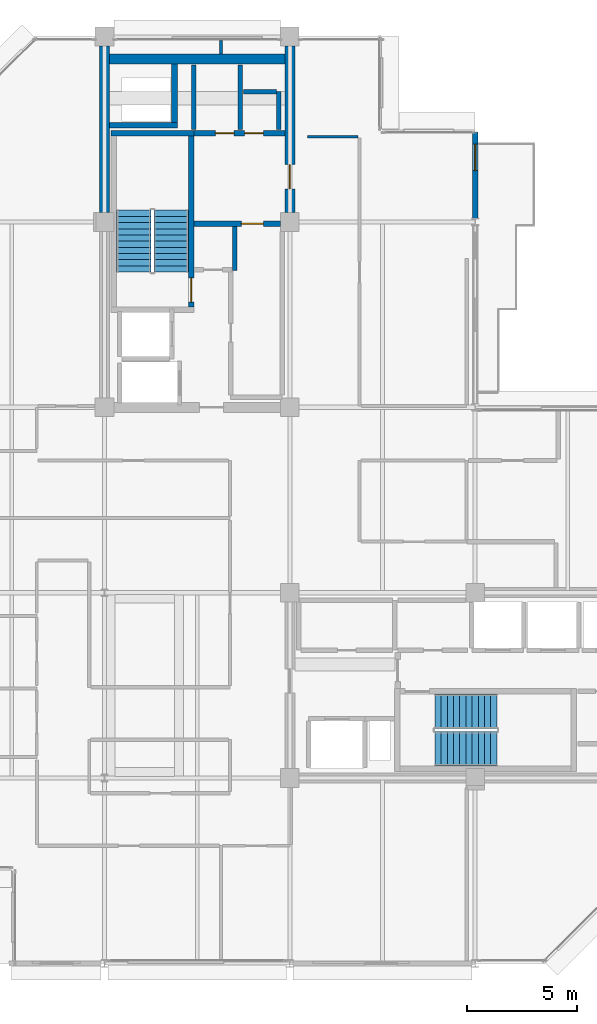
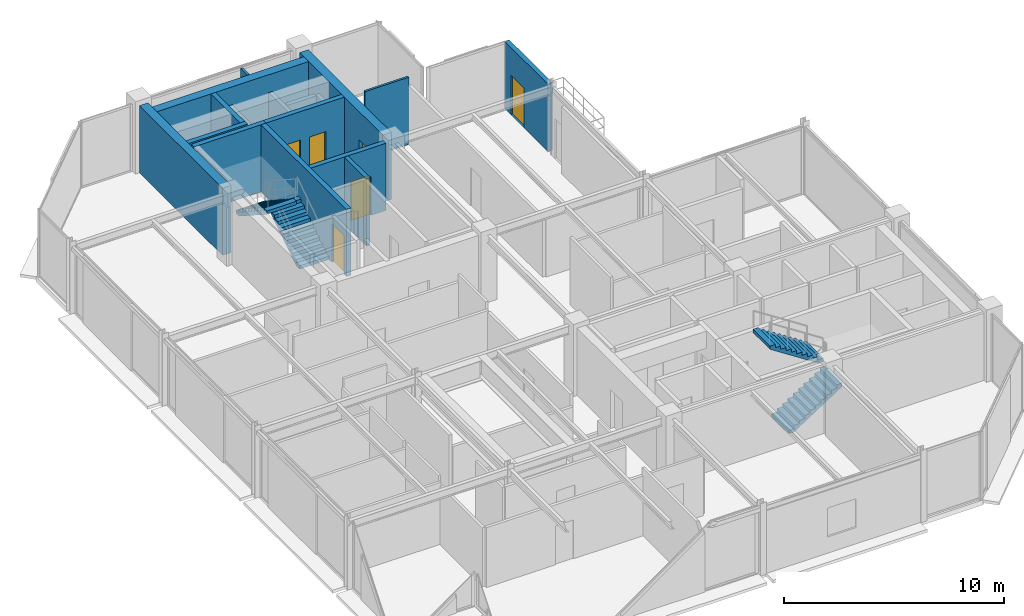
# One storey, part 22 of 25: 17 walls, 6 doors, 4 stair flights, 6 openings, 2 elements without a shape of their own.
"""IFC4 building model written with IfcOpenShell, lengths in metres."""

from ifc_helpers import new_model, si_unit, direction, frame, frame_2d, origin, place, context, subcontext, project, spatial, polyline, rectangle, outline, extrude, material, layer, layer_set, type_object, element, fill, aggregate, save


model = new_model("IFC4")

# Units and contexts
model_context = context("Model", 3, precision=1e-05, world=origin(), true_north=direction((0.0, 1.0)))
body_context = subcontext(model_context, "Body", "Model", "MODEL_VIEW")
ifc_project = project(units=[si_unit("LENGTHUNIT", "METRE"), si_unit("AREAUNIT", "SQUARE_METRE"), si_unit("VOLUMEUNIT", "CUBIC_METRE"), si_unit("PLANEANGLEUNIT", "RADIAN"), si_unit("MASSUNIT", "GRAM", prefix="KILO")], contexts=[model_context])

# Site, building, storey
site_placement = place(None, origin())
site = spatial("IfcSite", under=ifc_project, at=site_placement, CompositionType="ELEMENT")
building_placement = place(site_placement, origin())
building = spatial("IfcBuilding", under=site, at=building_placement, Name="Nerrivon Quay Data Exchange", CompositionType="ELEMENT")
storey_placement = place(building_placement, frame((0.0, 0.0, 314.199951171875)))
storey = spatial("IfcBuildingStorey", under=building, at=storey_placement, Name="L75", CompositionType="ELEMENT", Elevation=314.199951171875)

# Wall, opening, door
ifc_material_1 = material(Name="Architectural terracotta precast concrete N50 (50 MPa)", Category="masonry")
ifc_layer_1 = layer(ifc_material_1, 0.239990234375)
ifc_layer_set_1 = layer_set([ifc_layer_1], Name="Architectural terracotta precast concrete N50 (50 MPa)")
wall_type_1 = type_object("IfcWallType", Name="EW-PREC-240", PredefinedType="STANDARD", material=ifc_layer_set_1)
wall_1_placement = place(storey_placement, frame((25.199951171875, 37.679931640625, 0.0), z_axis=(0.0, 0.0, 1.0), x_axis=(0.0, -1.0, 0.0)))
wall_1 = element("IfcWall", 1, at=wall_1_placement, inside=storey, type_object=wall_type_1, Name="L75 Terrace Host Wall 19", PredefinedType="STANDARD", context=body_context, shape_type="SweptSolid", body=[
    extrude(rectangle(XDim=3.91650390625, YDim=0.239990234375, at=frame_2d((1.958251953125, 0.0))), origin(), (0.0, 0.0, 1.0), 3.72509765625),
])
opening_1_placement = place(wall_1_placement, frame((0.550048828125, 0.0, 0.0)))
opening_1 = element("IfcOpeningElement", 2, at=opening_1_placement, cuts=wall_1, Name="Opening TD1", PredefinedType="OPENING", context=body_context, shape_type="SweptSolid", body=[
    extrude(rectangle(XDim=1.199951171875, YDim=2.199951171875, at=frame_2d((0.60009765625, 1.10009765625))), frame((0.0, 0.1298828125, 0.0), z_axis=(0.0, -1.0, 0.0), x_axis=(1.0, 0.0, 0.0)), (0.0, 0.0, 1.0), 0.260009765625),
])
ifc_material_2 = material(Name="Double-glazed low-E solar control glass", Category="glass")
door_type_1 = type_object("IfcDoorType", Name="DR-TERR-1200x2200", OperationType="NOTDEFINED", PredefinedType="DOOR", material=ifc_material_2)
door_1_placement = place(opening_1_placement, origin())
door_1 = element("IfcDoor", 3, at=door_1_placement, inside=storey, type_object=door_type_1, Name="L75 Outdoor Terrace Access Door 19", OperationType="SINGLE_SWING_RIGHT", OverallHeight=2.199951171875, OverallWidth=1.199951171875, PredefinedType="DOOR", context=body_context, shape_type="SweptSolid", body=[
    extrude(rectangle(XDim=1.199951171875, YDim=2.199951171875, at=frame_2d((0.60009765625, 1.10009765625))), frame((0.0, 0.02490234375, 0.0), z_axis=(0.0, -1.0, 0.0), x_axis=(1.0, 0.0, 0.0)), (0.0, 0.0, 1.0), 0.050048828125),
])
fill(opening_1, door_1)

# Walls
ifc_material_3 = material(Name="Concrete N50 (50 MPa)", Category="concrete")
ifc_layer_2 = layer(ifc_material_3, 0.449951171875)
ifc_layer_set_2 = layer_set([ifc_layer_2], Name="Concrete N50 (50 MPa)")
wall_type_2 = type_object("IfcWallType", Name="WALL-CW-550", PredefinedType="SHEAR", material=ifc_layer_set_2)
wall_2_placement = place(storey_placement, frame((8.39990234375, 34.02490234375, 0.0), z_axis=(0.0, 0.0, 1.0), x_axis=(0.0, 1.0, 0.0)))
element("IfcWall", 4, at=wall_2_placement, inside=storey, type_object=wall_type_2, Name="L75 West Split-Core Shear Wall WCW-W2", PredefinedType="SHEAR", context=body_context, shape_type="SweptSolid", body=[
    extrude(rectangle(XDim=7.550048828125, YDim=0.449951171875, at=frame_2d((3.77490234375, 0.0))), origin(), (0.0, 0.0, 1.0), 3.72509765625),
])
wall_3_placement = place(storey_placement, frame((8.625, 40.97509765625, 0.0), z_axis=(0.0, 0.0, 1.0), x_axis=(1.0, 0.0, 0.0)))
element("IfcWall", 5, at=wall_3_placement, inside=storey, type_object=wall_type_2, Name="L75 West Split-Core Shear Wall WCW-N1", PredefinedType="SHEAR", context=body_context, shape_type="SweptSolid", body=[
    extrude(rectangle(XDim=7.949951171875, YDim=0.449951171875, at=frame_2d((3.97509765625, 0.0))), origin(), (0.0, 0.0, 1.0), 3.72509765625),
])

# Wall, opening, door
wall_4_placement = place(storey_placement, frame((16.800048828125, 34.02490234375, 0.0), z_axis=(0.0, 0.0, 1.0), x_axis=(0.0, 1.0, 0.0)))
wall_4 = element("IfcWall", 6, at=wall_4_placement, inside=storey, type_object=wall_type_2, Name="L75 West Split-Core Shear Wall WCW-E1", PredefinedType="SHEAR", context=body_context, shape_type="SweptSolid", body=[
    extrude(rectangle(XDim=7.550048828125, YDim=0.449951171875, at=frame_2d((3.77490234375, 0.0))), origin(), (0.0, 0.0, 1.0), 3.72509765625),
])
opening_2_placement = place(wall_4_placement, frame((1.074951171875, 0.0, 0.0)))
opening_2 = element("IfcOpeningElement", 7, at=opening_2_placement, cuts=wall_4, Name="Opening FD-120", PredefinedType="OPENING", context=body_context, shape_type="SweptSolid", body=[
    extrude(rectangle(XDim=1.10009765625, YDim=2.14990234375, at=frame_2d((0.550048828125, 1.074951171875))), frame((0.0, 0.23486328125, 0.0), z_axis=(0.0, -1.0, 0.0), x_axis=(1.0, 0.0, 0.0)), (0.0, 0.0, 1.0), 0.469970703125),
])
ifc_material_4 = material(Name="Powder-coated galvanized steel sheet", Category="steel")
door_type_2 = type_object("IfcDoorType", Name="DR-FD120-1100", OperationType="NOTDEFINED", PredefinedType="DOOR", material=ifc_material_4)
door_2_placement = place(opening_2_placement, origin())
door_2 = element("IfcDoor", 8, at=door_2_placement, inside=storey, type_object=door_type_2, Name="L75 West Core Lobby Fire Door", OperationType="SINGLE_SWING_LEFT", OverallHeight=2.14990234375, OverallWidth=1.10009765625, PredefinedType="DOOR", context=body_context, shape_type="SweptSolid", body=[
    extrude(rectangle(XDim=1.10009765625, YDim=2.14990234375, at=frame_2d((0.550048828125, 1.074951171875))), frame((0.0, 0.02490234375, 0.0), z_axis=(0.0, -1.0, 0.0), x_axis=(1.0, 0.0, 0.0)), (0.0, 0.0, 1.0), 0.050048828125),
])
fill(opening_2, door_2)

# Walls
ifc_material_5 = material(Name="Gypsum plasterboard on cold-formed framing", Category="gypsum")
ifc_layer_3 = layer(ifc_material_5, 0.199951171875)
ifc_layer_set_3 = layer_set([ifc_layer_3], Name="Gypsum plasterboard on cold-formed framing")
wall_type_3 = type_object("IfcWallType", Name="WALL-FW-200", PredefinedType="PARTITIONING", material=ifc_layer_set_3)
wall_5_placement = place(storey_placement, frame((14.300048828125, 33.39111328125, 0.0), z_axis=(0.0, 0.0, 1.0), x_axis=(0.0, -1.0, 0.0)))
element("IfcWall", 9, at=wall_5_placement, inside=storey, type_object=wall_type_3, Name="L75 Partition Core Equipment Store", PredefinedType="PARTITIONING", context=body_context, shape_type="SweptSolid", body=[
    extrude(rectangle(XDim=1.9912109375, YDim=0.199951171875, at=frame_2d((0.99560546875, 0.0))), origin(), (0.0, 0.0, 1.0), 3.72509765625),
])
for number, where, z_axis, x_axis, name in (
    (10, (14.550048828125, 37.780029296875, 0.0), (0.0, 0.0, 1.0), (0.0, 1.0, 0.0), "L75 Partition Electrical Switchboard Closet"),
    (11, (12.449951171875, 40.699951171875, 0.0), (0.0, 0.0, 1.0), (0.0, -1.0, 0.0), "L75 Partition Electrical Switchboard Closet"),
):
    element("IfcWall", number, at=place(storey_placement, frame(where, z_axis=z_axis, x_axis=x_axis)), inside=storey, type_object=wall_type_3, Name=name, PredefinedType="PARTITIONING", context=body_context, shape_type="SweptSolid", body=[
        extrude(rectangle(XDim=2.919921875, YDim=0.199951171875, at=frame_2d((1.4599609375, 0.0))), origin(), (0.0, 0.0, 1.0), 2.775146484375),
    ])
wall_6_placement = place(storey_placement, frame((16.300048828125, 37.780029296875, 0.0), z_axis=(0.0, 0.0, 1.0), x_axis=(0.0, 1.0, 0.0)))
element("IfcWall", 12, at=wall_6_placement, inside=storey, type_object=wall_type_3, Name="L75 Partition Janitor Closet", PredefinedType="PARTITIONING", context=body_context, shape_type="SweptSolid", body=[
    extrude(rectangle(XDim=1.719970703125, YDim=0.199951171875, at=frame_2d((0.85986328125, 0.0))), origin(), (0.0, 0.0, 1.0), 2.775146484375),
])
wall_7_placement = place(storey_placement, frame((16.196044921875, 39.5, 0.0), z_axis=(0.0, 0.0, 1.0), x_axis=(-1.0, 0.0, 0.0)))
element("IfcWall", 13, at=wall_7_placement, inside=storey, type_object=wall_type_3, Name="L75 Partition Janitor Closet", PredefinedType="PARTITIONING", context=body_context, shape_type="SweptSolid", body=[
    extrude(rectangle(XDim=1.506103515625, YDim=0.199951171875, at=frame_2d((0.7529296875, 0.0))), origin(), (0.0, 0.0, 1.0), 2.775146484375),
])
ifc_layer_4 = layer(ifc_material_5, 0.1201171875)
ifc_layer_set_4 = layer_set([ifc_layer_4], Name="Gypsum plasterboard on cold-formed framing")
wall_type_4 = type_object("IfcWallType", Name="WALL-PT-120", PredefinedType="PARTITIONING", material=ifc_layer_set_4)
wall_8_placement = place(storey_placement, frame((13.6826171875, 41.8310546875, 0.0), z_axis=(0.0, 0.0, 1.0), x_axis=(0.0, -1.0, 0.0)))
element("IfcWall", 14, at=wall_8_placement, inside=storey, type_object=wall_type_4, Name="L75 Partition Technical Library", PredefinedType="PARTITIONING", context=body_context, shape_type="SweptSolid", body=[
    extrude(rectangle(XDim=0.626953125, YDim=0.1201171875, at=frame_2d((0.3134765625, 0.0))), origin(), (0.0, 0.0, 1.0), 3.72509765625),
])
wall_9_placement = place(storey_placement, frame((17.60009765625, 37.4599609375, 0.0), z_axis=(0.0, 0.0, 1.0), x_axis=(1.0, 0.0, 0.0)))
element("IfcWall", 15, at=wall_9_placement, inside=storey, type_object=wall_type_4, Name="L75 Partition Technical Library", PredefinedType="PARTITIONING", context=body_context, shape_type="SweptSolid", body=[
    extrude(rectangle(XDim=2.2998046875, YDim=0.1201171875, at=frame_2d((1.14990234375, 0.0))), origin(), (0.0, 0.0, 1.0), 3.72509765625),
])
ifc_layer_5 = layer(ifc_material_3, 0.25)
ifc_layer_set_5 = layer_set([ifc_layer_5], Name="Concrete N50 (50 MPa)")
wall_type_5 = type_object("IfcWallType", Name="WALL-SW-250", PredefinedType="SHEAR", material=ifc_layer_set_5)
wall_10_placement = place(storey_placement, frame((12.449951171875, 37.625, 0.0), z_axis=(0.0, 0.0, 1.0), x_axis=(-1.0, 0.0, 0.0)))
element("IfcWall", 16, at=wall_10_placement, inside=storey, type_object=wall_type_5, Name="L75 ST01 Structural Stair Core Wall FAR", PredefinedType="SHEAR", context=body_context, shape_type="SweptSolid", body=[
    extrude(rectangle(XDim=3.75, YDim=0.25, at=frame_2d((1.875, 0.0))), origin(), (0.0, 0.0, 1.0), 3.72509765625),
])

# Wall, opening, door
wall_11_placement = place(storey_placement, frame((12.324951171875, 29.75, 0.0), z_axis=(0.0, 0.0, 1.0), x_axis=(0.0, 1.0, 0.0)))
wall_11 = element("IfcWall", 17, at=wall_11_placement, inside=storey, type_object=wall_type_5, Name="L75 ST01 Structural Stair Core Wall LEFT", PredefinedType="SHEAR", context=body_context, shape_type="SweptSolid", body=[
    extrude(rectangle(XDim=7.75, YDim=0.25, at=frame_2d((3.875, 0.0))), origin(), (0.0, 0.0, 1.0), 3.72509765625),
])
opening_3_placement = place(wall_11_placement, frame((0.219970703125, 0.0, 0.0)))
opening_3 = element("IfcOpeningElement", 18, at=opening_3_placement, cuts=wall_11, Name="Opening FD-120", PredefinedType="OPENING", context=body_context, shape_type="SweptSolid", body=[
    extrude(rectangle(XDim=1.10009765625, YDim=2.14990234375, at=frame_2d((0.550048828125, 1.074951171875))), frame((0.0, 0.135009765625, 0.0), z_axis=(0.0, -1.0, 0.0), x_axis=(1.0, 0.0, 0.0)), (0.0, 0.0, 1.0), 0.27001953125),
])
door_3_placement = place(opening_3_placement, origin())
door_3 = element("IfcDoor", 19, at=door_3_placement, inside=storey, type_object=door_type_2, Name="L75 Protected Stair Door ST01", OperationType="SINGLE_SWING_RIGHT", OverallHeight=2.14990234375, OverallWidth=1.10009765625, PredefinedType="DOOR", context=body_context, shape_type="SweptSolid", body=[
    extrude(rectangle(XDim=1.10009765625, YDim=2.14990234375, at=frame_2d((0.550048828125, 1.074951171875))), frame((0.0, 0.02490234375, 0.0), z_axis=(0.0, -1.0, 0.0), x_axis=(1.0, 0.0, 0.0)), (0.0, 0.0, 1.0), 0.050048828125),
])
fill(opening_3, door_3)

# Walls
wall_12_placement = place(storey_placement, frame((8.625, 37.97509765625, 0.0), z_axis=(0.0, 0.0, 1.0), x_axis=(1.0, 0.0, 0.0)))
element("IfcWall", 20, at=wall_12_placement, inside=storey, type_object=wall_type_5, Name="L75 West Core MEP Riser Shaft Wall S", PredefinedType="SHEAR", context=body_context, shape_type="SweptSolid", body=[
    extrude(rectangle(XDim=3.074951171875, YDim=0.25, at=frame_2d((1.53759765625, 0.0))), origin(), (0.0, 0.0, 1.0), 3.72509765625),
])
wall_13_placement = place(storey_placement, frame((11.574951171875, 38.10009765625, 0.0), z_axis=(0.0, 0.0, 1.0), x_axis=(0.0, 1.0, 0.0)))
element("IfcWall", 21, at=wall_13_placement, inside=storey, type_object=wall_type_5, Name="L75 West Core MEP Riser Shaft Wall E", PredefinedType="SHEAR", context=body_context, shape_type="SweptSolid", body=[
    extrude(rectangle(XDim=2.64990234375, YDim=0.25, at=frame_2d((1.324951171875, 0.0))), origin(), (0.0, 0.0, 1.0), 3.72509765625),
])

# Wall, opening, door
wall_14_placement = place(storey_placement, frame((12.449951171875, 33.52001953125, 0.0), z_axis=(0.0, 0.0, 1.0), x_axis=(1.0, 0.0, 0.0)))
wall_14 = element("IfcWall", 22, at=wall_14_placement, inside=storey, type_object=wall_type_5, Name="L75 West Lobby Smoke-Stop Wall", PredefinedType="SHEAR", context=body_context, shape_type="SweptSolid", body=[
    extrude(rectangle(XDim=3.925048828125, YDim=0.25, at=frame_2d((1.96240234375, 0.0))), origin(), (0.0, 0.0, 1.0), 3.72509765625),
])
opening_4_placement = place(wall_14_placement, frame((2.14990234375, 0.0, 0.0)))
opening_4 = element("IfcOpeningElement", 23, at=opening_4_placement, cuts=wall_14, Name="Opening FD-60", PredefinedType="OPENING", context=body_context, shape_type="SweptSolid", body=[
    extrude(rectangle(XDim=1.0, YDim=2.14990234375, at=frame_2d((0.5, 1.074951171875))), frame((0.0, 0.135009765625, 0.0), z_axis=(0.0, -1.0, 0.0), x_axis=(1.0, 0.0, 0.0)), (0.0, 0.0, 1.0), 0.27001953125),
])
ifc_material_6 = material(Name="Engineered hardwood timber", Category="wood")
door_type_3 = type_object("IfcDoorType", Name="DR-FD60-1000", OperationType="NOTDEFINED", PredefinedType="DOOR", material=ifc_material_6)
door_4_placement = place(opening_4_placement, origin())
door_4 = element("IfcDoor", 24, at=door_4_placement, inside=storey, type_object=door_type_3, Name="L75 West Firefighting Lobby Fire Door", OperationType="SINGLE_SWING_RIGHT", OverallHeight=2.14990234375, OverallWidth=1.0, PredefinedType="DOOR", context=body_context, shape_type="SweptSolid", body=[
    extrude(rectangle(XDim=1.0, YDim=2.14990234375, at=frame_2d((0.5, 1.074951171875))), frame((0.0, 0.02490234375, 0.0), z_axis=(0.0, -1.0, 0.0), x_axis=(1.0, 0.0, 0.0)), (0.0, 0.0, 1.0), 0.050048828125),
])
fill(opening_4, door_4)

# Wall, openings, doors
wall_15_placement = place(storey_placement, frame((12.449951171875, 37.625, 0.0), z_axis=(0.0, 0.0, 1.0), x_axis=(1.0, 0.0, 0.0)))
wall_15 = element("IfcWall", 25, at=wall_15_placement, inside=storey, type_object=wall_type_5, Name="L75 West Firefighting Lobby Wall", PredefinedType="SHEAR", context=body_context, shape_type="SweptSolid", body=[
    extrude(rectangle(XDim=4.125, YDim=0.25, at=frame_2d((2.0625, 0.0))), origin(), (0.0, 0.0, 1.0), 3.72509765625),
])
opening_5_placement = place(wall_15_placement, frame((0.9775390625, 0.0, 0.0)))
opening_5 = element("IfcOpeningElement", 26, at=opening_5_placement, cuts=wall_15, Name="Opening FD-60S", PredefinedType="OPENING", context=body_context, shape_type="SweptSolid", body=[
    extrude(rectangle(XDim=0.85009765625, YDim=2.14990234375, at=frame_2d((0.425048828125, 1.074951171875))), frame((0.0, 0.135009765625, 0.0), z_axis=(0.0, -1.0, 0.0), x_axis=(1.0, 0.0, 0.0)), (0.0, 0.0, 1.0), 0.27001953125),
])
opening_6_placement = place(wall_15_placement, frame((2.297607421875, 0.0, 0.0)))
opening_6 = element("IfcOpeningElement", 27, at=opening_6_placement, cuts=wall_15, Name="Opening FD-60S", PredefinedType="OPENING", context=body_context, shape_type="SweptSolid", body=[
    extrude(rectangle(XDim=0.85009765625, YDim=2.14990234375, at=frame_2d((0.425048828125, 1.074951171875))), frame((0.0, 0.135009765625, 0.0), z_axis=(0.0, -1.0, 0.0), x_axis=(1.0, 0.0, 0.0)), (0.0, 0.0, 1.0), 0.27001953125),
])
door_type_4 = type_object("IfcDoorType", Name="DR-FD60-850", OperationType="NOTDEFINED", PredefinedType="DOOR", material=ifc_material_6)
door_5_placement = place(opening_5_placement, origin())
door_5 = element("IfcDoor", 28, at=door_5_placement, inside=storey, type_object=door_type_4, Name="L75 Door Electrical Switchboard Closet", OperationType="SINGLE_SWING_RIGHT", OverallHeight=2.14990234375, OverallWidth=0.85009765625, PredefinedType="DOOR", context=body_context, shape_type="SweptSolid", body=[
    extrude(rectangle(XDim=0.85009765625, YDim=2.14990234375, at=frame_2d((0.425048828125, 1.074951171875))), frame((0.0, 0.02490234375, 0.0), z_axis=(0.0, -1.0, 0.0), x_axis=(1.0, 0.0, 0.0)), (0.0, 0.0, 1.0), 0.050048828125),
])
fill(opening_5, door_5)
door_6_placement = place(opening_6_placement, origin())
door_6 = element("IfcDoor", 29, at=door_6_placement, inside=storey, type_object=door_type_4, Name="L75 Door Janitor Closet", OperationType="SINGLE_SWING_LEFT", OverallHeight=2.14990234375, OverallWidth=0.85009765625, PredefinedType="DOOR", context=body_context, shape_type="SweptSolid", body=[
    extrude(rectangle(XDim=0.85009765625, YDim=2.14990234375, at=frame_2d((0.425048828125, 1.074951171875))), frame((0.0, 0.02490234375, 0.0), z_axis=(0.0, -1.0, 0.0), x_axis=(1.0, 0.0, 0.0)), (0.0, 0.0, 1.0), 0.050048828125),
])
fill(opening_6, door_6)

# Stair, stair flights
stair_type = type_object("IfcStairType", Name="STAIR-DOG-40", PredefinedType="HALF_TURN_STAIR", material=ifc_material_3)
stair_1_placement = place(storey_placement, origin())
stair_1 = element("IfcStair", 30, at=stair_1_placement, inside=storey, type_object=stair_type, Name="L75 West Core Fire Stair ST01", PredefinedType="HALF_TURN_STAIR")
stair_flight_type = type_object("IfcStairFlightType", Name="FLIGHT-DOG-40", PredefinedType="STRAIGHT", material=ifc_material_3)
stair_flight_1_placement = place(storey_placement, frame((11.425048828125, 31.330078125, 0.0), z_axis=(0.0, 0.0, 1.0), x_axis=(0.0, 1.0, 0.0)))
stair_flight_1 = element("IfcStairFlight", 31, at=stair_flight_1_placement, type_object=stair_flight_type, Name="ST01 flight 1", NumberOfRisers=11, NumberOfTreads=10, PredefinedType="STRAIGHT", RiserHeight=0.181818182, TreadLength=0.28, context=body_context, shape_type="SweptSolid", body=[
    extrude(outline(polyline([(0.0, 0.0), (0.0, 0.181884765625), (0.280029296875, 0.181884765625), (0.280029296875, 0.363525390625), (0.56005859375, 0.363525390625), (0.56005859375, 0.54541015625), (0.840087890625, 0.54541015625), (0.840087890625, 0.727294921875), (1.1201171875, 0.727294921875), (1.1201171875, 0.9091796875), (1.39990234375, 0.9091796875), (1.39990234375, 1.0908203125), (1.679931640625, 1.0908203125), (1.679931640625, 1.272705078125), (1.9599609375, 1.272705078125), (1.9599609375, 1.45458984375), (2.239990234375, 1.45458984375), (2.239990234375, 1.636474609375), (2.52001953125, 1.636474609375), (2.52001953125, 1.818115234375), (2.800048828125, 1.818115234375), (2.800048828125, 2.0), (2.800048828125, 1.639404296875), (0.275146484375, 0.0), (0.0, 0.0)])), frame((0.0, 0.77490234375, 0.0), z_axis=(0.0, -1.0, 0.0), x_axis=(1.0, 0.0, 0.0)), (0.0, 0.0, 1.0), 1.550048828125),
])
stair_flight_2_placement = place(storey_placement, frame((9.72509765625, 34.1298828125, 2.0), z_axis=(0.0, 0.0, 1.0), x_axis=(0.0, -1.0, 0.0)))
stair_flight_2 = element("IfcStairFlight", 32, at=stair_flight_2_placement, type_object=stair_flight_type, Name="ST01 flight 2", NumberOfRisers=11, NumberOfTreads=10, PredefinedType="STRAIGHT", RiserHeight=0.181818182, TreadLength=0.28, context=body_context, shape_type="SweptSolid", body=[
    extrude(outline(polyline([(0.0, 0.0), (0.0, 0.181884765625), (0.280029296875, 0.181884765625), (0.280029296875, 0.363525390625), (0.56005859375, 0.363525390625), (0.56005859375, 0.54541015625), (0.840087890625, 0.54541015625), (0.840087890625, 0.727294921875), (1.1201171875, 0.727294921875), (1.1201171875, 0.9091796875), (1.39990234375, 0.9091796875), (1.39990234375, 1.0908203125), (1.679931640625, 1.0908203125), (1.679931640625, 1.272705078125), (1.9599609375, 1.272705078125), (1.9599609375, 1.45458984375), (2.239990234375, 1.45458984375), (2.239990234375, 1.636474609375), (2.52001953125, 1.636474609375), (2.52001953125, 1.818115234375), (2.800048828125, 1.818115234375), (2.800048828125, 2.0), (2.800048828125, 1.639404296875), (0.275146484375, 0.0), (0.0, 0.0)])), frame((0.0, 0.77490234375, 0.0), z_axis=(0.0, -1.0, 0.0), x_axis=(1.0, 0.0, 0.0)), (0.0, 0.0, 1.0), 1.550048828125),
])
aggregate(stair_1, [stair_flight_1, stair_flight_2])

stair_2_placement = place(storey_placement, origin())
stair_2 = element("IfcStair", 33, at=stair_2_placement, inside=storey, type_object=stair_type, Name="L75 East Core Fire Stair ST02", PredefinedType="HALF_TURN_STAIR")
stair_flight_3_placement = place(storey_placement, frame((23.3798828125, 9.72509765625, 0.0), z_axis=(0.0, 0.0, 1.0), x_axis=(1.0, 0.0, 0.0)))
stair_flight_3 = element("IfcStairFlight", 34, at=stair_flight_3_placement, type_object=stair_flight_type, Name="ST02 flight 1", NumberOfRisers=11, NumberOfTreads=10, PredefinedType="STRAIGHT", RiserHeight=0.181818182, TreadLength=0.28, context=body_context, shape_type="SweptSolid", body=[
    extrude(outline(polyline([(0.0, 0.0), (0.0, 0.181884765625), (0.280029296875, 0.181884765625), (0.280029296875, 0.363525390625), (0.56005859375, 0.363525390625), (0.56005859375, 0.54541015625), (0.840087890625, 0.54541015625), (0.840087890625, 0.727294921875), (1.1201171875, 0.727294921875), (1.1201171875, 0.9091796875), (1.39990234375, 0.9091796875), (1.39990234375, 1.0908203125), (1.679931640625, 1.0908203125), (1.679931640625, 1.272705078125), (1.9599609375, 1.272705078125), (1.9599609375, 1.45458984375), (2.239990234375, 1.45458984375), (2.239990234375, 1.636474609375), (2.52001953125, 1.636474609375), (2.52001953125, 1.818115234375), (2.800048828125, 1.818115234375), (2.800048828125, 2.0), (2.800048828125, 1.639404296875), (0.275146484375, 0.0), (0.0, 0.0)])), frame((0.0, 0.77490234375, 0.0), z_axis=(0.0, -1.0, 0.0), x_axis=(1.0, 0.0, 0.0)), (0.0, 0.0, 1.0), 1.550048828125),
])
stair_flight_4_placement = place(storey_placement, frame((26.179931640625, 11.425048828125, 2.0), z_axis=(0.0, 0.0, 1.0), x_axis=(-1.0, 0.0, 0.0)))
stair_flight_4 = element("IfcStairFlight", 35, at=stair_flight_4_placement, type_object=stair_flight_type, Name="ST02 flight 2", NumberOfRisers=11, NumberOfTreads=10, PredefinedType="STRAIGHT", RiserHeight=0.181818182, TreadLength=0.28, context=body_context, shape_type="SweptSolid", body=[
    extrude(outline(polyline([(0.0, 0.0), (0.0, 0.181884765625), (0.280029296875, 0.181884765625), (0.280029296875, 0.363525390625), (0.56005859375, 0.363525390625), (0.56005859375, 0.54541015625), (0.840087890625, 0.54541015625), (0.840087890625, 0.727294921875), (1.1201171875, 0.727294921875), (1.1201171875, 0.9091796875), (1.39990234375, 0.9091796875), (1.39990234375, 1.0908203125), (1.679931640625, 1.0908203125), (1.679931640625, 1.272705078125), (1.9599609375, 1.272705078125), (1.9599609375, 1.45458984375), (2.239990234375, 1.45458984375), (2.239990234375, 1.636474609375), (2.52001953125, 1.636474609375), (2.52001953125, 1.818115234375), (2.800048828125, 1.818115234375), (2.800048828125, 2.0), (2.800048828125, 1.639404296875), (0.275146484375, 0.0), (0.0, 0.0)])), frame((0.0, 0.77490234375, 0.0), z_axis=(0.0, -1.0, 0.0), x_axis=(1.0, 0.0, 0.0)), (0.0, 0.0, 1.0), 1.550048828125),
])
aggregate(stair_2, [stair_flight_3, stair_flight_4])

save(model, "model.ifc")
